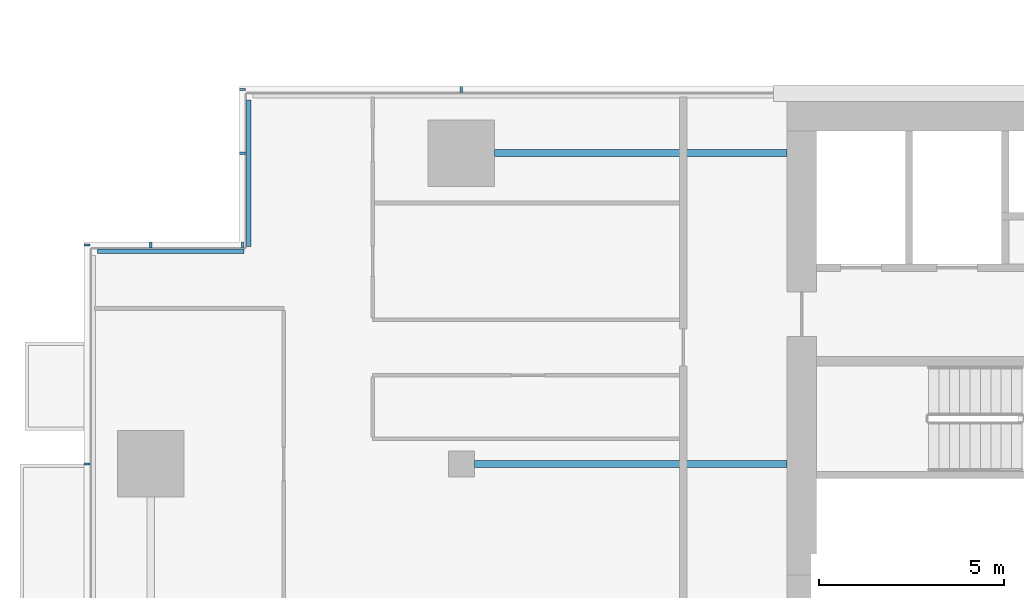
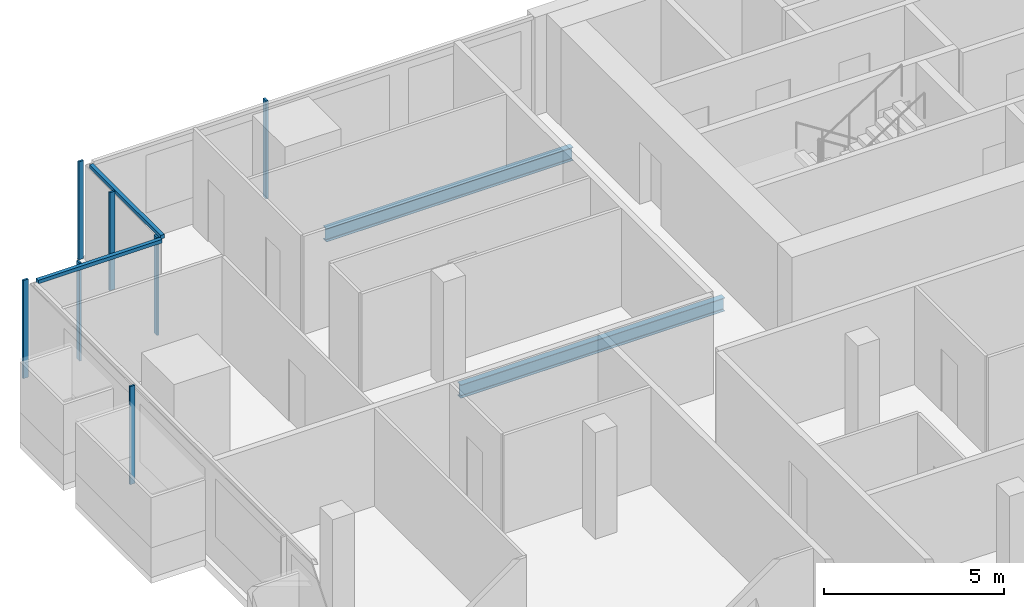
# One storey, part 8 of 28: 9 members, 2 beams, 4 elements without a shape of their own.
"""IFC4 building model written with IfcOpenShell, lengths in metres."""

from ifc_helpers import new_model, si_unit, direction, frame, origin, origin_2d, place, context, subcontext, project, spatial, rectangle, i_section, extrude, material, material_profile, profile_set, type_object, element, aggregate, save


model = new_model("IFC4")

# Units and contexts
model_context = context("Model", 3, precision=1e-05, world=origin(), true_north=direction((0.0, 1.0)))
body_context = subcontext(model_context, "Body", "Model", "MODEL_VIEW")
ifc_project = project(units=[si_unit("LENGTHUNIT", "METRE"), si_unit("AREAUNIT", "SQUARE_METRE"), si_unit("VOLUMEUNIT", "CUBIC_METRE"), si_unit("PLANEANGLEUNIT", "RADIAN"), si_unit("MASSUNIT", "GRAM", prefix="KILO")], contexts=[model_context])

# Site, building, storey
site_placement = place(None, origin())
site = spatial("IfcSite", under=ifc_project, at=site_placement, CompositionType="ELEMENT")
building_placement = place(site_placement, origin())
building = spatial("IfcBuilding", under=site, at=building_placement, Name="Saffron Gate Tower", CompositionType="ELEMENT")
storey_placement = place(building_placement, frame((0.0, 0.0, 151.050048828125)))
storey = spatial("IfcBuildingStorey", under=building, at=storey_placement, Name="L36", CompositionType="ELEMENT", Elevation=151.050048828125)

# Beams
ifc_material_1 = material(Name="Structural steel S355", Category="steel")
ifc_material_profile_1 = material_profile(ifc_material_1, i_section(OverallWidth=0.18994140625, OverallDepth=0.449951171875, WebThickness=0.009521484375, FlangeThickness=0.0146484375, FilletRadius=0.02099609375, at=origin_2d()))
ifc_profile_set_1 = profile_set([ifc_material_profile_1], Name="Structural steel S355")
beam_type = type_object("IfcBeamType", Name="B6 IPE 450", PredefinedType="BEAM", material=ifc_profile_set_1)
beam_1_placement = place(storey_placement, frame((58.550048828125, 65.39990234375, -0.505126953125), z_axis=(1.0, 0.0, 0.0), x_axis=(0.0, 1.0, 0.0)))
element("IfcBeam", 1, at=beam_1_placement, inside=storey, type_object=beam_type, Name="B6 CORE TIE BEAM", PredefinedType="BEAM", context=body_context, shape_type="SweptSolid", body=[
    extrude(i_section(OverallWidth=0.18994140625, OverallDepth=0.449951171875, WebThickness=0.009521484375, FlangeThickness=0.0146484375, FilletRadius=0.02099609375, at=origin_2d()), origin(), (0.0, 0.0, 1.0), 8.449951171875),
])
beam_2_placement = place(storey_placement, frame((59.10009765625, 73.800048828125, -0.505126953125), z_axis=(1.0, 0.0, 0.0), x_axis=(0.0, 1.0, 0.0)))
element("IfcBeam", 2, at=beam_2_placement, inside=storey, type_object=beam_type, Name="B6 CORE TIE BEAM", PredefinedType="BEAM", context=body_context, shape_type="SweptSolid", body=[
    extrude(i_section(OverallWidth=0.18994140625, OverallDepth=0.449951171875, WebThickness=0.009521484375, FlangeThickness=0.0146484375, FilletRadius=0.02099609375, at=origin_2d()), origin(), (0.0, 0.0, 1.0), 7.89990234375),
])

# Curtain wall, members
ifc_material_2 = material(Name="Aluminium, bronze anodised", Category="aluminium")
curtain_wall_type_1 = type_object("IfcCurtainWallType", Name="CWS2 curtain wall side facades", PredefinedType="NOTDEFINED", material=ifc_material_2)
curtain_wall_1_placement = place(storey_placement, origin())
curtain_wall_1 = element("IfcCurtainWall", 3, at=curtain_wall_1_placement, inside=storey, type_object=curtain_wall_type_1, Name="CWS2 run 10", PredefinedType="NOTDEFINED")
ifc_material_profile_2 = material_profile(ifc_material_2, rectangle(XDim=0.159912109375, YDim=0.06005859375, at=origin_2d()))
ifc_profile_set_2 = profile_set([ifc_material_profile_2], Name="Aluminium, bronze anodised")
member_type_1 = type_object("IfcMemberType", Name="CWS2 mullion 60x160", PredefinedType="MULLION", material=ifc_profile_set_2)
member_1_placement = place(storey_placement, frame((48.080078125, 71.320068359375, 0.0), z_axis=(0.0, 0.0, 1.0), x_axis=(1.0, 0.0, 0.0)))
member_1 = element("IfcMember", 4, at=member_1_placement, type_object=member_type_1, Name="CWS2 mullion 1", PredefinedType="MULLION", context=body_context, shape_type="SweptSolid", body=[
    extrude(rectangle(XDim=0.159912109375, YDim=0.06005859375, at=origin_2d()), origin(), (0.0, 0.0, 1.0), 3.320068359375),
])
member_2_placement = place(storey_placement, frame((48.080078125, 65.39990234375, 0.0), z_axis=(0.0, 0.0, 1.0), x_axis=(1.0, 0.0, 0.0)))
member_2 = element("IfcMember", 5, at=member_2_placement, type_object=member_type_1, Name="CWS2 mullion 2", PredefinedType="MULLION", context=body_context, shape_type="SweptSolid", body=[
    extrude(rectangle(XDim=0.159912109375, YDim=0.06005859375, at=origin_2d()), origin(), (0.0, 0.0, 1.0), 3.320068359375),
])
aggregate(curtain_wall_1, [member_1, member_2])

# Curtain wall, member
curtain_wall_type_2 = type_object("IfcCurtainWallType", Name="CWS3 curtain wall rear facade", PredefinedType="NOTDEFINED", material=ifc_material_2)
curtain_wall_2_placement = place(storey_placement, origin())
curtain_wall_2 = element("IfcCurtainWall", 6, at=curtain_wall_2_placement, inside=storey, type_object=curtain_wall_type_2, Name="CWS3 run 7", PredefinedType="NOTDEFINED")
ifc_material_profile_3 = material_profile(ifc_material_2, rectangle(XDim=0.159912109375, YDim=0.070068359375, at=origin_2d()))
ifc_profile_set_3 = profile_set([ifc_material_profile_3], Name="Aluminium, bronze anodised")
member_type_2 = type_object("IfcMemberType", Name="CWS3 mullion 70x160", PredefinedType="MULLION", material=ifc_profile_set_3)
member_3_placement = place(storey_placement, frame((58.199951171875, 75.52001953125, 0.0), z_axis=(0.0, 0.0, 1.0), x_axis=(0.0, -1.0, 0.0)))
member_3 = element("IfcMember", 7, at=member_3_placement, type_object=member_type_2, Name="CWS3 mullion 9", PredefinedType="MULLION", context=body_context, shape_type="SweptSolid", body=[
    extrude(rectangle(XDim=0.159912109375, YDim=0.070068359375, at=origin_2d()), origin(), (0.0, 0.0, 1.0), 3.320068359375),
])
aggregate(curtain_wall_2, [member_3])

curtain_wall_type_3 = type_object("IfcCurtainWallType", Name="CWS4 curtain wall corner returns", PredefinedType="NOTDEFINED", material=ifc_material_2)
curtain_wall_3_placement = place(storey_placement, origin())
curtain_wall_3 = element("IfcCurtainWall", 8, at=curtain_wall_3_placement, inside=storey, type_object=curtain_wall_type_3, Name="CWS4 run 8", PredefinedType="NOTDEFINED")
ifc_material_profile_4 = material_profile(ifc_material_2, rectangle(XDim=0.1201171875, YDim=0.1201171875, at=origin_2d()))
ifc_profile_set_4 = profile_set([ifc_material_profile_4], Name="Aluminium, bronze anodised")
member_type_3 = type_object("IfcMemberType", Name="CWS4 head transom", PredefinedType="USERDEFINED", material=ifc_profile_set_4)
member_4_placement = place(storey_placement, frame((52.447998046875, 75.23193359375, 3.260009765625), z_axis=(0.0, -1.0, 0.0), x_axis=(1.0, 0.0, 0.0)))
member_4 = element("IfcMember", 9, at=member_4_placement, type_object=member_type_3, Name="CWS4 head transom", ObjectType="TRANSOM", PredefinedType="USERDEFINED", context=body_context, shape_type="SweptSolid", body=[
    extrude(rectangle(XDim=0.1201171875, YDim=0.1201171875, at=origin_2d()), origin(), (0.0, 0.0, 1.0), 3.9599609375),
])

curtain_wall_4_placement = place(storey_placement, origin())
curtain_wall_4 = element("IfcCurtainWall", 10, at=curtain_wall_4_placement, inside=storey, type_object=curtain_wall_type_3, Name="CWS4 run 9", PredefinedType="NOTDEFINED")
member_5_placement = place(storey_placement, frame((52.327880859375, 71.152099609375, 3.260009765625), z_axis=(-1.0, 0.0, 0.0), x_axis=(0.0, -1.0, 0.0)))
member_5 = element("IfcMember", 11, at=member_5_placement, type_object=member_type_3, Name="CWS4 head transom", ObjectType="TRANSOM", PredefinedType="USERDEFINED", context=body_context, shape_type="SweptSolid", body=[
    extrude(rectangle(XDim=0.1201171875, YDim=0.1201171875, at=origin_2d()), origin(), (0.0, 0.0, 1.0), 3.9599609375),
])

# Member
ifc_material_profile_5 = material_profile(ifc_material_2, rectangle(XDim=0.159912109375, YDim=0.06005859375, at=origin_2d()))
ifc_profile_set_5 = profile_set([ifc_material_profile_5], Name="Aluminium, bronze anodised")
member_type_4 = type_object("IfcMemberType", Name="CWS4 mullion 60x160", PredefinedType="MULLION", material=ifc_profile_set_5)
member_6_placement = place(storey_placement, frame((52.280029296875, 75.52001953125, 0.0), z_axis=(0.0, 0.0, 1.0), x_axis=(1.0, 0.0, 0.0)))
member_6 = element("IfcMember", 12, at=member_6_placement, type_object=member_type_4, Name="CWS4 mullion 1", PredefinedType="MULLION", context=body_context, shape_type="SweptSolid", body=[
    extrude(rectangle(XDim=0.159912109375, YDim=0.06005859375, at=origin_2d()), origin(), (0.0, 0.0, 1.0), 3.320068359375),
])

member_7_placement = place(storey_placement, frame((52.280029296875, 73.800048828125, 0.0), z_axis=(0.0, 0.0, 1.0), x_axis=(1.0, 0.0, 0.0)))
member_7 = element("IfcMember", 13, at=member_7_placement, type_object=member_type_4, Name="CWS4 mullion 2", PredefinedType="MULLION", context=body_context, shape_type="SweptSolid", body=[
    extrude(rectangle(XDim=0.159912109375, YDim=0.06005859375, at=origin_2d()), origin(), (0.0, 0.0, 1.0), 3.320068359375),
])

aggregate(curtain_wall_3, [member_6, member_7, member_4])

member_8_placement = place(storey_placement, frame((52.280029296875, 71.320068359375, 0.0), z_axis=(0.0, 0.0, 1.0), x_axis=(0.0, -1.0, 0.0)))
member_8 = element("IfcMember", 14, at=member_8_placement, type_object=member_type_4, Name="CWS4 mullion 1", PredefinedType="MULLION", context=body_context, shape_type="SweptSolid", body=[
    extrude(rectangle(XDim=0.159912109375, YDim=0.06005859375, at=origin_2d()), origin(), (0.0, 0.0, 1.0), 3.320068359375),
])

member_9_placement = place(storey_placement, frame((49.800048828125, 71.320068359375, 0.0), z_axis=(0.0, 0.0, 1.0), x_axis=(0.0, -1.0, 0.0)))
member_9 = element("IfcMember", 15, at=member_9_placement, type_object=member_type_4, Name="CWS4 mullion 2", PredefinedType="MULLION", context=body_context, shape_type="SweptSolid", body=[
    extrude(rectangle(XDim=0.159912109375, YDim=0.06005859375, at=origin_2d()), origin(), (0.0, 0.0, 1.0), 3.320068359375),
])

aggregate(curtain_wall_4, [member_8, member_9, member_5])

save(model, "model.ifc")
